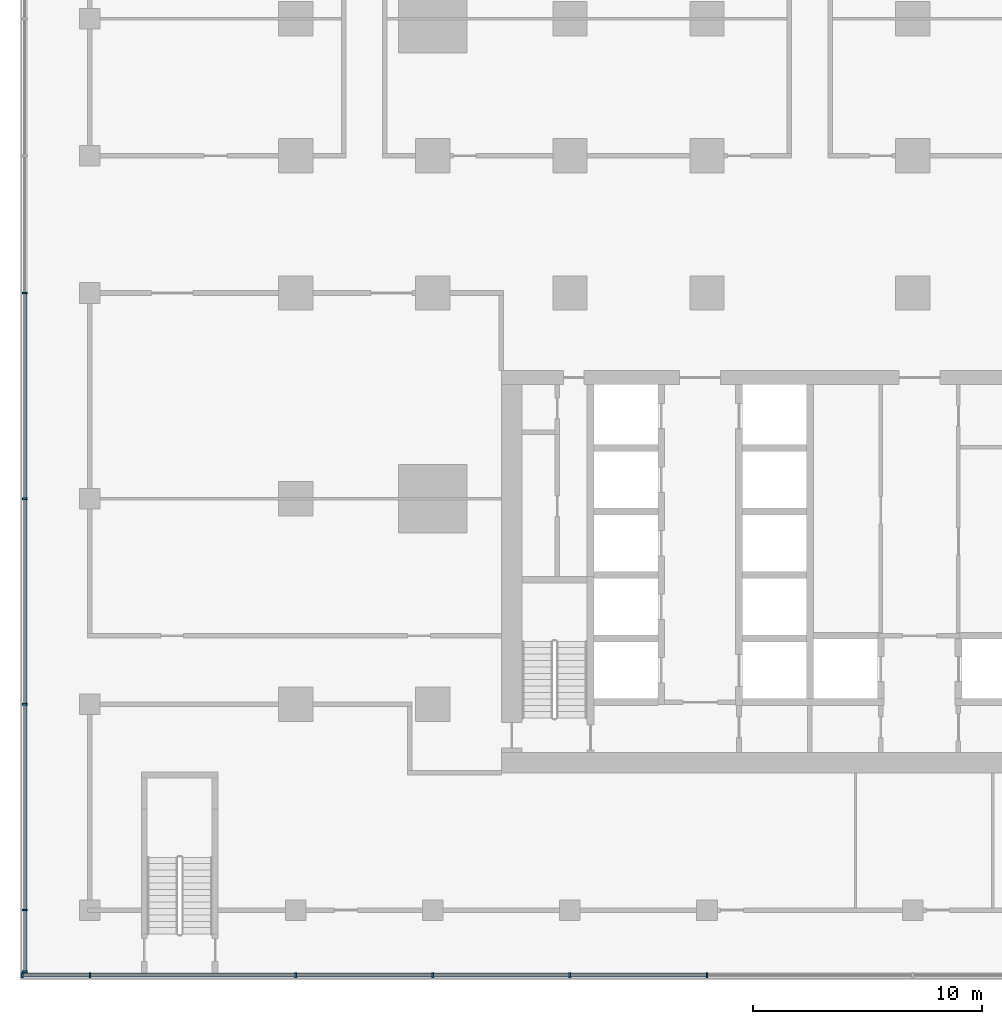
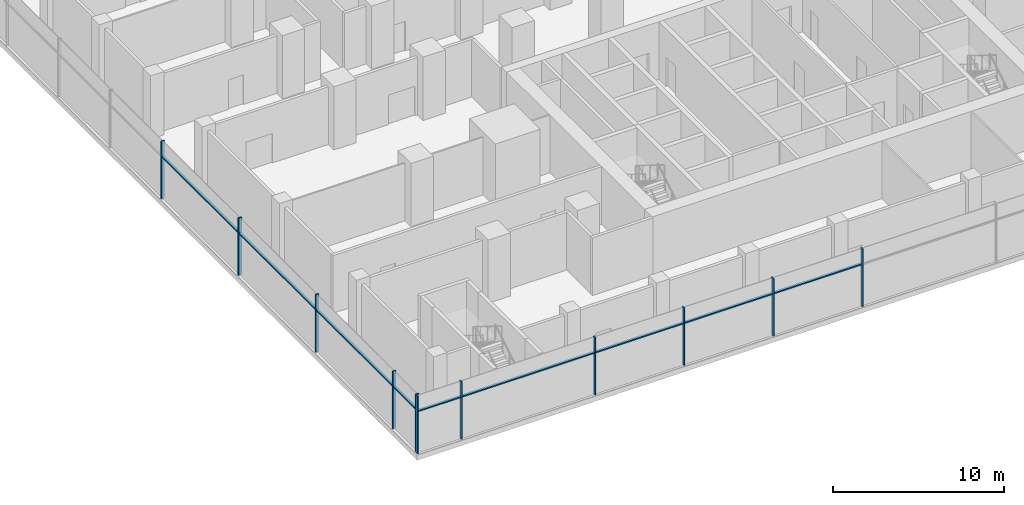
# One storey, part 2 of 22: 20 members, 2 elements without a shape of their own.
"""IFC4 building model written with IfcOpenShell, lengths in metres."""

import ifcopenshell
import ifcopenshell.guid

model = None  # the IFC model being written
_history = None  # IfcOwnerHistory: only IFC2X3 demands one
_inside = {}  # id of a spatial element -> (the spatial element, [elements in it])
_under = {}  # id of a project, library or spatial element -> (it, [spatial elements below it])
_declared = {}  # id of a project -> (the project, [libraries it declares])
_typed = {}  # id of a type object -> (the type object, [elements of that type])
_made_of = {}  # id of a material, layer set ... -> (it, [elements and type objects made of it])


def new_model(schema):
    """Start an empty IFC model of exactly this schema.

    Asked for "IFC4X3", IfcOpenShell would pick the latest addendum, in which some entities
    have other attributes; the version numbers below select the first issue.
    IFC2X3 requires an IfcOwnerHistory on every rooted entity: one is made here for all.
    """
    global model, _history
    if schema == "IFC4X3":
        model = ifcopenshell.file(schema_version=(4, 3, 0, 0))
    else:
        model = ifcopenshell.file(schema=schema)
    _inside.clear()
    _under.clear()
    _declared.clear()
    _typed.clear()
    _made_of.clear()
    _history = None
    if model.schema == "IFC2X3":
        org = make("IfcOrganization", Name="unknown")
        user = make(
            "IfcPersonAndOrganization",
            ThePerson=make("IfcPerson", FamilyName="unknown"),
            TheOrganization=org,
        )
        app = make(
            "IfcApplication",
            ApplicationDeveloper=org,
            Version="unknown",
            ApplicationFullName="unknown",
            ApplicationIdentifier="unknown",
        )
        _history = make(
            "IfcOwnerHistory",
            OwningUser=user,
            OwningApplication=app,
            ChangeAction="ADDED",
            CreationDate=0,
        )
    return model


def make(cls, **values):
    """One entity of the class cls with the attributes given. An attribute that is None is left unset."""
    return model.create_entity(
        cls, **{name: value for name, value in values.items() if value is not None}
    )


def rooted(cls, **values):
    """An entity with a GlobalId (a new one), such as an element, a storey or a relation."""
    return make(cls, GlobalId=ifcopenshell.guid.new(), OwnerHistory=_history, **values)


def si_unit(unit_type, name, prefix=None):
    """IfcSIUnit, for example si_unit("LENGTHUNIT", "METRE", prefix="MILLI")."""
    return make("IfcSIUnit", UnitType=unit_type, Prefix=prefix, Name=name)


def assignment(units):
    """IfcUnitAssignment: the units of a project."""
    return None if units is None else make("IfcUnitAssignment", Units=units)


def point(xyz):
    """IfcCartesianPoint."""
    return None if xyz is None else make("IfcCartesianPoint", Coordinates=xyz)


def direction(xyz):
    """IfcDirection."""
    return None if xyz is None else make("IfcDirection", DirectionRatios=xyz)


def frame(location, z_axis=None, x_axis=None):
    """IfcAxis2Placement3D, a coordinate frame: its origin and axes. An axis left out is left unset."""
    return make(
        "IfcAxis2Placement3D",
        Location=point(location),
        Axis=direction(z_axis),
        RefDirection=direction(x_axis),
    )


def frame_2d(location, x_axis=None):
    """IfcAxis2Placement2D, a coordinate frame in the plane: its origin and x axis."""
    return make(
        "IfcAxis2Placement2D", Location=point(location), RefDirection=direction(x_axis)
    )


def origin():
    """The frame at (0, 0, 0) with its axes left unset."""
    return frame((0.0, 0.0, 0.0))


def origin_2d():
    """The frame at (0, 0) in the plane with its x axis left unset."""
    return frame_2d((0.0, 0.0))


def place(relative_to, where):
    """IfcLocalPlacement: puts the frame where relative to a parent placement (None: the world)."""
    return make(
        "IfcLocalPlacement", PlacementRelTo=relative_to, RelativePlacement=where
    )


def context(
    kind, dimensions, precision=None, world=None, true_north=None, identifier=None
):
    """IfcGeometricRepresentationContext, for example the 3D "Model" context."""
    return make(
        "IfcGeometricRepresentationContext",
        ContextIdentifier=identifier,
        ContextType=kind,
        CoordinateSpaceDimension=dimensions,
        Precision=precision,
        WorldCoordinateSystem=world,
        TrueNorth=true_north,
    )


def subcontext(parent, identifier, kind, view, scale=None):
    """IfcGeometricRepresentationSubContext, for example "Body" below "Model"."""
    return make(
        "IfcGeometricRepresentationSubContext",
        ContextIdentifier=identifier,
        ContextType=kind,
        ParentContext=parent,
        TargetScale=scale,
        TargetView=view,
    )


def project(units=None, contexts=None):
    """IfcProject with its units and contexts."""
    return rooted(
        "IfcProject",
        Name="project",
        RepresentationContexts=contexts,
        UnitsInContext=assignment(units),
    )


def spatial(cls, under=None, at=None, **own):
    """A site, building, storey or space (cls), placed at a placement, below another one or the project."""
    s = rooted(cls, ObjectPlacement=at, **own)
    if under is not None:
        _under.setdefault(under.id(), (under, []))[1].append(s)
    return s


def profile(cls, at=None, kind="AREA", **sizes):
    """A parametric profile (cls). Its sizes go by their IFC names, for example OverallWidth=200.0."""
    return make(cls, ProfileType=kind, Position=at, **sizes)


def rectangle(**sizes):
    """IfcRectangleProfileDef."""
    return profile("IfcRectangleProfileDef", **sizes)


def extrude(swept, where, along, depth):
    """IfcExtrudedAreaSolid: the profile swept, set in the frame where, extruded along a direction by depth."""
    return make(
        "IfcExtrudedAreaSolid",
        SweptArea=swept,
        Position=where,
        ExtrudedDirection=direction(along),
        Depth=depth,
    )


def shape(context_of_items, identifier, shape_type, items):
    """IfcShapeRepresentation: the items that make up one representation, for example the "Body"."""
    return make(
        "IfcShapeRepresentation",
        ContextOfItems=context_of_items,
        RepresentationIdentifier=identifier,
        RepresentationType=shape_type,
        Items=items,
    )


def material(Name=None, Category=None):
    """IfcMaterial."""
    return make("IfcMaterial", Name=Name, Category=Category)


def material_profile(
    of_material, cross_section, Name=None, Category=None, Priority=None
):
    """IfcMaterialProfile: a cross section and its material."""
    return make(
        "IfcMaterialProfile",
        Name=Name,
        Material=of_material,
        Profile=cross_section,
        Priority=Priority,
        Category=Category,
    )


def profile_set(profiles, Name=None, composite=None):
    """IfcMaterialProfileSet."""
    return make(
        "IfcMaterialProfileSet",
        Name=Name,
        MaterialProfiles=profiles,
        CompositeProfile=composite,
    )


def made_of(thing, what):
    """Note that an element or type object is made of a material, layer set ...; save() writes the relation."""
    if what is not None:
        _made_of.setdefault(what.id(), (what, []))[1].append(thing)
    return thing


def type_object(cls, material=None, **own):
    """A type object (cls), such as IfcWallType, which elements share."""
    return made_of(rooted(cls, **own), material)


def element(
    cls,
    number,
    at=None,
    inside=None,
    cuts=None,
    type_object=None,
    material=None,
    context=None,
    identifier="Body",
    shape_type=None,
    held_by="IfcProductDefinitionShape",
    body=None,
    shapes=None,
    **own,
):
    """One element of the class cls, such as IfcWall. Its Tag is "e" and its number.

    at: its placement. inside: the storey or other place that contains it. cuts: it is an
    opening in that element (IfcRelVoidsElement). A single representation is given by context,
    identifier, shape_type and body (its items); several are given by shapes. held_by: the class
    of the entity that holds the representations. save() writes the other relations.
    """
    e = rooted(cls, Tag="e%d" % number, ObjectPlacement=at, **own)
    if body is not None:
        shapes = [shape(context, identifier, shape_type, body)]
    if shapes is not None:
        e.Representation = make(held_by, Representations=shapes)
    if inside is not None:
        _inside.setdefault(inside.id(), (inside, []))[1].append(e)
    if cuts is not None:
        rooted(
            "IfcRelVoidsElement", RelatingBuildingElement=cuts, RelatedOpeningElement=e
        )
    if type_object is not None:
        _typed.setdefault(type_object.id(), (type_object, []))[1].append(e)
    return made_of(e, material)


def aggregate(whole, parts):
    """IfcRelAggregates: a whole, such as a stair, and the parts it consists of."""
    return rooted("IfcRelAggregates", RelatingObject=whole, RelatedObjects=parts)


def save(model, path):
    """Write the relations noted so far, then the file.

    IfcRelAggregates (storeys below a building ...), IfcRelContainedInSpatialStructure (elements
    in a storey), IfcRelDefinesByType, IfcRelAssociatesMaterial and IfcRelDeclares: one each for
    every whole, place, type object, material and project.
    """
    for whole, parts in _under.values():
        aggregate(whole, parts)
    for where, things in _inside.values():
        rooted(
            "IfcRelContainedInSpatialStructure",
            RelatedElements=things,
            RelatingStructure=where,
        )
    for kind, things in _typed.values():
        rooted("IfcRelDefinesByType", RelatedObjects=things, RelatingType=kind)
    for what, things in _made_of.values():
        rooted("IfcRelAssociatesMaterial", RelatedObjects=things, RelatingMaterial=what)
    for by, libraries in _declared.values():
        rooted("IfcRelDeclares", RelatingContext=by, RelatedDefinitions=libraries)
    model.write(path)


model = new_model("IFC4")

# Units and contexts
model_context = context("Model", 3, precision=1e-05, world=origin(), true_north=direction((0.0, 1.0)))
body_context = subcontext(model_context, "Body", "Model", "MODEL_VIEW")
ifc_project = project(units=[si_unit("LENGTHUNIT", "METRE"), si_unit("AREAUNIT", "SQUARE_METRE"), si_unit("VOLUMEUNIT", "CUBIC_METRE"), si_unit("PLANEANGLEUNIT", "RADIAN"), si_unit("MASSUNIT", "GRAM", prefix="KILO")], contexts=[model_context])

# Site, building, storey
site_placement = place(None, origin())
site = spatial("IfcSite", under=ifc_project, at=site_placement, CompositionType="ELEMENT")
building_placement = place(site_placement, origin())
building = spatial("IfcBuilding", under=site, at=building_placement, Name="Finial Court Residences", CompositionType="ELEMENT")
storey_placement = place(building_placement, frame((0.0, 0.0, 28.0)))
storey = spatial("IfcBuildingStorey", under=building, at=storey_placement, Name="L05", CompositionType="ELEMENT", Elevation=28.0)

# Curtain wall, members
ifc_material = material(Name="Bronze anodised aluminium", Category="aluminium")
curtain_wall_type = type_object("IfcCurtainWallType", Name="Podium curtain wall", PredefinedType="NOTDEFINED", material=ifc_material)
curtain_wall_1_placement = place(storey_placement, origin())
curtain_wall_1 = element("IfcCurtainWall", 1, at=curtain_wall_1_placement, inside=storey, type_object=curtain_wall_type, Name="E-L05-CW-S3", PredefinedType="NOTDEFINED")
ifc_material_profile_1 = material_profile(ifc_material, rectangle(XDim=0.22509765625, YDim=0.080078125, at=origin_2d()), Name="CW5 mullion 80 x 225")
ifc_profile_set_1 = profile_set([ifc_material_profile_1], Name="Bronze anodised aluminium")
member_type_1 = type_object("IfcMemberType", Name="CW5 mullion 80 x 225", PredefinedType="MULLION", material=ifc_profile_set_1)
member_1_placement = place(storey_placement, frame((-34.4599609375, -34.35009765625, 0.0), z_axis=(0.0, 0.0, 1.0), x_axis=(0.0, 1.0, 0.0)))
member_1 = element("IfcMember", 2, at=member_1_placement, type_object=member_type_1, Name="CW5 mullion 1", PredefinedType="MULLION", context=body_context, shape_type="SweptSolid", body=[
    extrude(rectangle(XDim=0.22509765625, YDim=0.080078125, at=origin_2d()), origin(), (0.0, 0.0, 1.0), 4.10009765625),
])
member_2_placement = place(storey_placement, frame((-31.5, -34.35009765625, 0.0), z_axis=(0.0, 0.0, 1.0), x_axis=(0.0, 1.0, 0.0)))
member_2 = element("IfcMember", 3, at=member_2_placement, type_object=member_type_1, Name="CW5 mullion 2", PredefinedType="MULLION", context=body_context, shape_type="SweptSolid", body=[
    extrude(rectangle(XDim=0.22509765625, YDim=0.080078125, at=origin_2d()), origin(), (0.0, 0.0, 1.0), 4.10009765625),
])
member_3_placement = place(storey_placement, frame((-22.5, -34.35009765625, 0.0), z_axis=(0.0, 0.0, 1.0), x_axis=(0.0, 1.0, 0.0)))
member_3 = element("IfcMember", 4, at=member_3_placement, type_object=member_type_1, Name="CW5 mullion 3", PredefinedType="MULLION", context=body_context, shape_type="SweptSolid", body=[
    extrude(rectangle(XDim=0.22509765625, YDim=0.080078125, at=origin_2d()), origin(), (0.0, 0.0, 1.0), 4.10009765625),
])
member_4_placement = place(storey_placement, frame((-16.5, -34.35009765625, 0.0), z_axis=(0.0, 0.0, 1.0), x_axis=(0.0, 1.0, 0.0)))
member_4 = element("IfcMember", 5, at=member_4_placement, type_object=member_type_1, Name="CW5 mullion 4", PredefinedType="MULLION", context=body_context, shape_type="SweptSolid", body=[
    extrude(rectangle(XDim=0.22509765625, YDim=0.080078125, at=origin_2d()), origin(), (0.0, 0.0, 1.0), 4.10009765625),
])
member_5_placement = place(storey_placement, frame((-10.5, -34.35009765625, 0.0), z_axis=(0.0, 0.0, 1.0), x_axis=(0.0, 1.0, 0.0)))
member_5 = element("IfcMember", 6, at=member_5_placement, type_object=member_type_1, Name="CW5 mullion 5", PredefinedType="MULLION", context=body_context, shape_type="SweptSolid", body=[
    extrude(rectangle(XDim=0.22509765625, YDim=0.080078125, at=origin_2d()), origin(), (0.0, 0.0, 1.0), 4.10009765625),
])
member_6_placement = place(storey_placement, frame((-4.5, -34.35009765625, 0.0), z_axis=(0.0, 0.0, 1.0), x_axis=(0.0, 1.0, 0.0)))
member_6 = element("IfcMember", 7, at=member_6_placement, type_object=member_type_1, Name="CW5 mullion 6", PredefinedType="MULLION", context=body_context, shape_type="SweptSolid", body=[
    extrude(rectangle(XDim=0.22509765625, YDim=0.080078125, at=origin_2d()), origin(), (0.0, 0.0, 1.0), 4.10009765625),
])

curtain_wall_2_placement = place(storey_placement, origin())
curtain_wall_2 = element("IfcCurtainWall", 8, at=curtain_wall_2_placement, inside=storey, type_object=curtain_wall_type, Name="E-L05-CW-W4", PredefinedType="NOTDEFINED")
member_7_placement = place(storey_placement, frame((-34.35009765625, -34.197509765625, 0.0), z_axis=(0.0, 0.0, 1.0), x_axis=(-1.0, 0.0, 0.0)))
member_7 = element("IfcMember", 9, at=member_7_placement, type_object=member_type_1, Name="CW5 mullion 1", PredefinedType="MULLION", context=body_context, shape_type="SweptSolid", body=[
    extrude(rectangle(XDim=0.22509765625, YDim=0.080078125, at=origin_2d()), origin(), (0.0, 0.0, 1.0), 4.10009765625),
])
member_8_placement = place(storey_placement, frame((-34.35009765625, -31.5, 0.0), z_axis=(0.0, 0.0, 1.0), x_axis=(-1.0, 0.0, 0.0)))
member_8 = element("IfcMember", 10, at=member_8_placement, type_object=member_type_1, Name="CW5 mullion 2", PredefinedType="MULLION", context=body_context, shape_type="SweptSolid", body=[
    extrude(rectangle(XDim=0.22509765625, YDim=0.080078125, at=origin_2d()), origin(), (0.0, 0.0, 1.0), 4.10009765625),
])
member_9_placement = place(storey_placement, frame((-34.35009765625, -22.5, 0.0), z_axis=(0.0, 0.0, 1.0), x_axis=(-1.0, 0.0, 0.0)))
member_9 = element("IfcMember", 11, at=member_9_placement, type_object=member_type_1, Name="CW5 mullion 3", PredefinedType="MULLION", context=body_context, shape_type="SweptSolid", body=[
    extrude(rectangle(XDim=0.22509765625, YDim=0.080078125, at=origin_2d()), origin(), (0.0, 0.0, 1.0), 4.10009765625),
])
member_10_placement = place(storey_placement, frame((-34.35009765625, -13.5, 0.0), z_axis=(0.0, 0.0, 1.0), x_axis=(-1.0, 0.0, 0.0)))
member_10 = element("IfcMember", 12, at=member_10_placement, type_object=member_type_1, Name="CW5 mullion 4", PredefinedType="MULLION", context=body_context, shape_type="SweptSolid", body=[
    extrude(rectangle(XDim=0.22509765625, YDim=0.080078125, at=origin_2d()), origin(), (0.0, 0.0, 1.0), 4.10009765625),
])
member_11_placement = place(storey_placement, frame((-34.35009765625, -4.5, 0.0), z_axis=(0.0, 0.0, 1.0), x_axis=(-1.0, 0.0, 0.0)))
member_11 = element("IfcMember", 13, at=member_11_placement, type_object=member_type_1, Name="CW5 mullion 5", PredefinedType="MULLION", context=body_context, shape_type="SweptSolid", body=[
    extrude(rectangle(XDim=0.22509765625, YDim=0.080078125, at=origin_2d()), origin(), (0.0, 0.0, 1.0), 4.10009765625),
])

# Member
ifc_material_profile_2 = material_profile(ifc_material, rectangle(XDim=0.175048828125, YDim=0.080078125, at=origin_2d()), Name="CW5 transom 80 x 175")
ifc_profile_set_2 = profile_set([ifc_material_profile_2], Name="Bronze anodised aluminium")
member_type_2 = type_object("IfcMemberType", Name="CW5 transom 80 x 175", PredefinedType="USERDEFINED", material=ifc_profile_set_2)
member_12_placement = place(storey_placement, frame((-34.419921875, -34.35009765625, 3.0), z_axis=(1.0, 0.0, 0.0), x_axis=(0.0, 1.0, 0.0)))
member_12 = element("IfcMember", 14, at=member_12_placement, type_object=member_type_2, Name="CW5 transom 1.1", ObjectType="TRANSOM", PredefinedType="USERDEFINED", context=body_context, shape_type="SweptSolid", body=[
    extrude(rectangle(XDim=0.175048828125, YDim=0.080078125, at=origin_2d()), origin(), (0.0, 0.0, 1.0), 2.8798828125),
])

member_13_placement = place(storey_placement, frame((-31.4599609375, -34.35009765625, 3.0), z_axis=(1.0, 0.0, 0.0), x_axis=(0.0, 1.0, 0.0)))
member_13 = element("IfcMember", 15, at=member_13_placement, type_object=member_type_2, Name="CW5 transom 2.1", ObjectType="TRANSOM", PredefinedType="USERDEFINED", context=body_context, shape_type="SweptSolid", body=[
    extrude(rectangle(XDim=0.175048828125, YDim=0.080078125, at=origin_2d()), origin(), (0.0, 0.0, 1.0), 8.919921875),
])

member_14_placement = place(storey_placement, frame((-22.4599609375, -34.35009765625, 3.0), z_axis=(1.0, 0.0, 0.0), x_axis=(0.0, 1.0, 0.0)))
member_14 = element("IfcMember", 16, at=member_14_placement, type_object=member_type_2, Name="CW5 transom 3.1", ObjectType="TRANSOM", PredefinedType="USERDEFINED", context=body_context, shape_type="SweptSolid", body=[
    extrude(rectangle(XDim=0.175048828125, YDim=0.080078125, at=origin_2d()), origin(), (0.0, 0.0, 1.0), 5.919921875),
])

member_15_placement = place(storey_placement, frame((-16.4599609375, -34.35009765625, 3.0), z_axis=(1.0, 0.0, 0.0), x_axis=(0.0, 1.0, 0.0)))
member_15 = element("IfcMember", 17, at=member_15_placement, type_object=member_type_2, Name="CW5 transom 4.1", ObjectType="TRANSOM", PredefinedType="USERDEFINED", context=body_context, shape_type="SweptSolid", body=[
    extrude(rectangle(XDim=0.175048828125, YDim=0.080078125, at=origin_2d()), origin(), (0.0, 0.0, 1.0), 5.919921875),
])

member_16_placement = place(storey_placement, frame((-10.4599609375, -34.35009765625, 3.0), z_axis=(1.0, 0.0, 0.0), x_axis=(0.0, 1.0, 0.0)))
member_16 = element("IfcMember", 18, at=member_16_placement, type_object=member_type_2, Name="CW5 transom 5.1", ObjectType="TRANSOM", PredefinedType="USERDEFINED", context=body_context, shape_type="SweptSolid", body=[
    extrude(rectangle(XDim=0.175048828125, YDim=0.080078125, at=origin_2d()), origin(), (0.0, 0.0, 1.0), 5.919921875),
])

aggregate(curtain_wall_1, [member_1, member_2, member_3, member_4, member_5, member_6, member_12, member_13, member_14, member_15, member_16])

member_17_placement = place(storey_placement, frame((-34.35009765625, -34.157470703125, 3.0), z_axis=(0.0, 1.0, 0.0), x_axis=(-1.0, 0.0, 0.0)))
member_17 = element("IfcMember", 19, at=member_17_placement, type_object=member_type_2, Name="CW5 transom 1.1", ObjectType="TRANSOM", PredefinedType="USERDEFINED", context=body_context, shape_type="SweptSolid", body=[
    extrude(rectangle(XDim=0.175048828125, YDim=0.080078125, at=origin_2d()), origin(), (0.0, 0.0, 1.0), 2.617431640625),
])

member_18_placement = place(storey_placement, frame((-34.35009765625, -31.4599609375, 3.0), z_axis=(0.0, 1.0, 0.0), x_axis=(-1.0, 0.0, 0.0)))
member_18 = element("IfcMember", 20, at=member_18_placement, type_object=member_type_2, Name="CW5 transom 2.1", ObjectType="TRANSOM", PredefinedType="USERDEFINED", context=body_context, shape_type="SweptSolid", body=[
    extrude(rectangle(XDim=0.175048828125, YDim=0.080078125, at=origin_2d()), origin(), (0.0, 0.0, 1.0), 8.919921875),
])

member_19_placement = place(storey_placement, frame((-34.35009765625, -22.4599609375, 3.0), z_axis=(0.0, 1.0, 0.0), x_axis=(-1.0, 0.0, 0.0)))
member_19 = element("IfcMember", 21, at=member_19_placement, type_object=member_type_2, Name="CW5 transom 3.1", ObjectType="TRANSOM", PredefinedType="USERDEFINED", context=body_context, shape_type="SweptSolid", body=[
    extrude(rectangle(XDim=0.175048828125, YDim=0.080078125, at=origin_2d()), origin(), (0.0, 0.0, 1.0), 8.919921875),
])

member_20_placement = place(storey_placement, frame((-34.35009765625, -13.4599609375, 3.0), z_axis=(0.0, 1.0, 0.0), x_axis=(-1.0, 0.0, 0.0)))
member_20 = element("IfcMember", 22, at=member_20_placement, type_object=member_type_2, Name="CW5 transom 4.1", ObjectType="TRANSOM", PredefinedType="USERDEFINED", context=body_context, shape_type="SweptSolid", body=[
    extrude(rectangle(XDim=0.175048828125, YDim=0.080078125, at=origin_2d()), origin(), (0.0, 0.0, 1.0), 8.919921875),
])

aggregate(curtain_wall_2, [member_7, member_8, member_9, member_10, member_11, member_17, member_18, member_19, member_20])

save(model, "model.ifc")
